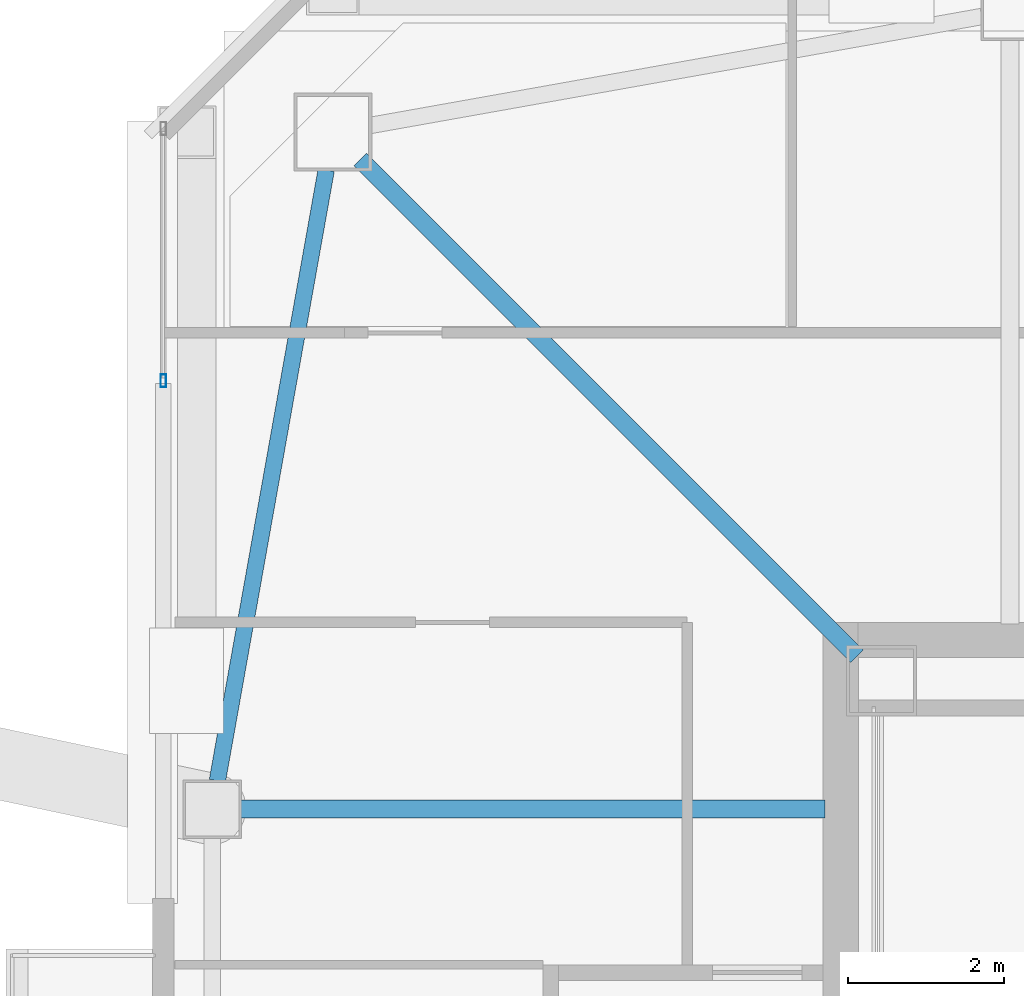
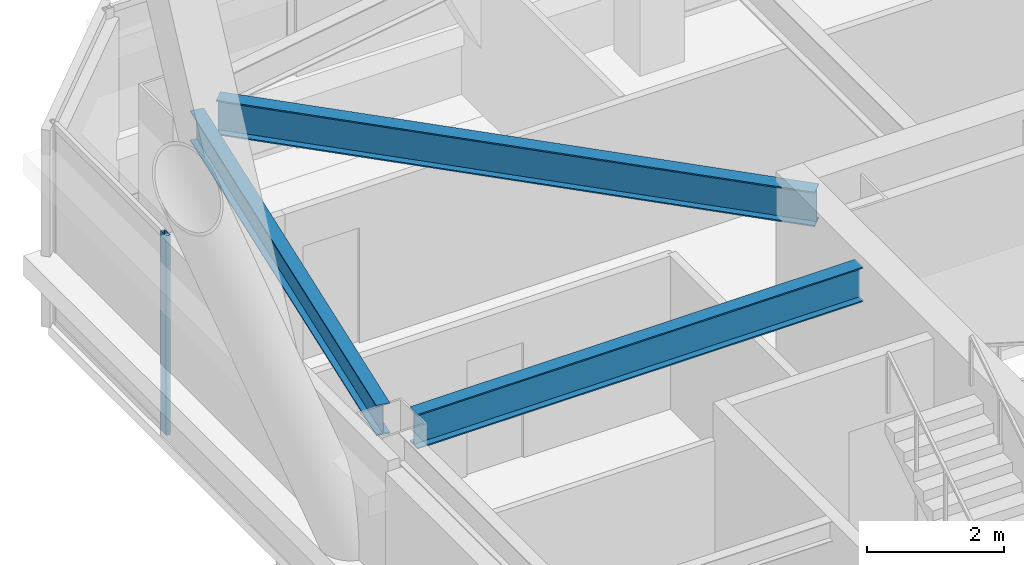
# One storey, part 11 of 56: 3 beams, 1 member, 1 element without a shape of its own.
"""IFC4 building model written with IfcOpenShell, lengths in metres."""

from ifc_helpers import new_model, si_unit, direction, frame, origin, origin_2d, place, context, subcontext, project, spatial, hollow_rectangle, i_section, extrude, material, material_profile, profile_set, type_object, element, aggregate, save


model = new_model("IFC4")

# Units and contexts
model_context = context("Model", 3, precision=1e-05, world=origin(), true_north=direction((0.0, 1.0)))
body_context = subcontext(model_context, "Body", "Model", "MODEL_VIEW")
ifc_project = project(units=[si_unit("LENGTHUNIT", "METRE"), si_unit("AREAUNIT", "SQUARE_METRE"), si_unit("VOLUMEUNIT", "CUBIC_METRE"), si_unit("PLANEANGLEUNIT", "RADIAN"), si_unit("MASSUNIT", "GRAM", prefix="KILO")], contexts=[model_context])

# Site, building, storey
site_placement = place(None, origin())
site = spatial("IfcSite", under=ifc_project, at=site_placement, CompositionType="ELEMENT")
building_placement = place(site_placement, origin())
building = spatial("IfcBuilding", under=site, at=building_placement, Name="Tashvorn Skyway Center", CompositionType="ELEMENT")
storey_placement = place(building_placement, frame((0.0, 0.0, 218.39990234375)))
storey = spatial("IfcBuildingStorey", under=building, at=storey_placement, Name="L59", CompositionType="ELEMENT", Elevation=218.39990234375)

# Beams
ifc_material_1 = material(Name="Steel ASTM A992 Grade 50", Category="steel")
ifc_material_profile_1 = material_profile(ifc_material_1, i_section(OverallWidth=0.22998046875, OverallDepth=0.616943359375, WebThickness=0.01318359375, FlangeThickness=0.022216796875, at=origin_2d()), Name="W24X94")
ifc_profile_set_1 = profile_set([ifc_material_profile_1], Name="Steel ASTM A992 Grade 50")
beam_type_1 = type_object("IfcBeamType", Name="BM-BEAM-W24X94", PredefinedType="BEAM", material=ifc_profile_set_1)
beam_1_placement = place(storey_placement, frame((28.25, 45.75, 3.0615234375), z_axis=(0.707106781187, -0.707106781187, 0.0), x_axis=(0.707106781187, 0.707106781187, 0.0)))
element("IfcBeam", 1, at=beam_1_placement, inside=storey, type_object=beam_type_1, Name="Tower 1 L59 Primary Floor Girder MC-NW", PredefinedType="BEAM", context=body_context, shape_type="SweptSolid", body=[
    extrude(i_section(OverallWidth=0.22998046875, OverallDepth=0.616943359375, WebThickness=0.01318359375, FlangeThickness=0.022216796875, at=origin_2d()), origin(), (0.0, 0.0, 1.0), 9.030029296875),
])
beam_2_placement = place(storey_placement, frame((26.719970703125, 37.39990234375, 3.0615234375), z_axis=(1.0, 0.0, 0.0), x_axis=(0.0, 1.0, 0.0)))
element("IfcBeam", 2, at=beam_2_placement, inside=storey, type_object=beam_type_1, Name="Tower 1 L59 Primary Floor Girder FC-W1", PredefinedType="BEAM", context=body_context, shape_type="SweptSolid", body=[
    extrude(i_section(OverallWidth=0.22998046875, OverallDepth=0.616943359375, WebThickness=0.01318359375, FlangeThickness=0.022216796875, at=origin_2d()), origin(), (0.0, 0.0, 1.0), 7.5),
])
ifc_material_profile_2 = material_profile(ifc_material_1, i_section(OverallWidth=0.2109375, OverallDepth=0.5390625, WebThickness=0.01171875, FlangeThickness=0.018798828125, at=origin_2d()), Name="W21X73")
ifc_profile_set_2 = profile_set([ifc_material_profile_2], Name="Steel ASTM A992 Grade 50")
beam_type_2 = type_object("IfcBeamType", Name="BM-SPANDREL-W21X73", PredefinedType="SPANDREL", material=ifc_profile_set_2)
beam_3_placement = place(storey_placement, frame((27.813232421875, 45.61279296875, 3.1005859375), z_axis=(-0.17541329759, -0.984494883191, 0.0), x_axis=(0.984494883191, -0.17541329759, 0.0)))
element("IfcBeam", 3, at=beam_3_placement, inside=storey, type_object=beam_type_2, Name="Tower 1 L59 Spandrel Beam 10", PredefinedType="SPANDREL", context=body_context, shape_type="SweptSolid", body=[
    extrude(i_section(OverallWidth=0.2109375, OverallDepth=0.5390625, WebThickness=0.01171875, FlangeThickness=0.018798828125, at=origin_2d()), origin(), (0.0, 0.0, 1.0), 7.97216796875),
])

# Curtain wall, member
ifc_material_2 = material(Name="Thermally broken bronze-anodized aluminium 6063-T6", Category="aluminium")
curtain_wall_type = type_object("IfcCurtainWallType", Name="CW-CW-Z5", PredefinedType="NOTDEFINED", material=ifc_material_2)
curtain_wall_placement = place(storey_placement, origin())
curtain_wall = element("IfcCurtainWall", 4, at=curtain_wall_placement, inside=storey, type_object=curtain_wall_type, Name="Tower 1 L59 West Curtain Wall R Glazing Group 1", PredefinedType="NOTDEFINED")
ifc_material_profile_3 = material_profile(ifc_material_2, hollow_rectangle(XDim=0.070068359375, YDim=0.1650390625, WallThickness=0.00390625, at=origin_2d()), Name="ALU-MULL-70x165")
ifc_profile_set_3 = profile_set([ifc_material_profile_3], Name="Thermally broken bronze-anodized aluminium 6063-T6")
member_type = type_object("IfcMemberType", Name="CWM-CW-Z5", PredefinedType="MULLION", material=ifc_profile_set_3)
member_placement = place(storey_placement, frame((25.719970703125, 42.905029296875, 0.0), z_axis=(0.0, 0.0, 1.0), x_axis=(-1.0, 0.0, 0.0)))
member = element("IfcMember", 5, at=member_placement, type_object=member_type, Name="CW-Z5 mullion 1", PredefinedType="MULLION", context=body_context, shape_type="SweptSolid", body=[
    extrude(hollow_rectangle(XDim=0.070068359375, YDim=0.1650390625, WallThickness=0.00390625, at=origin_2d()), origin(), (0.0, 0.0, 1.0), 3.550048828125),
])
aggregate(curtain_wall, [member])

save(model, "model.ifc")
